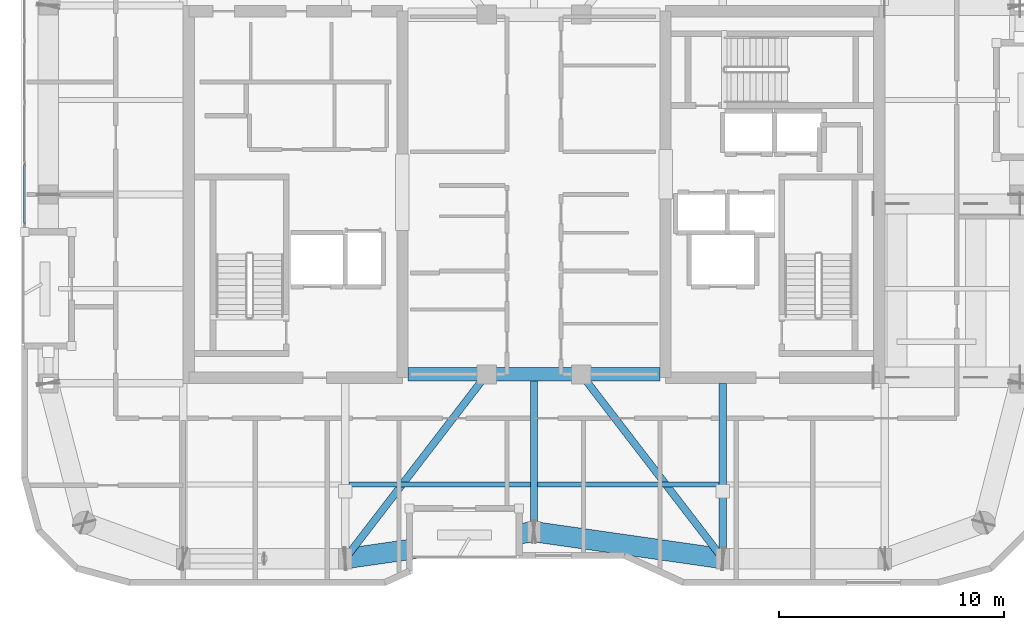
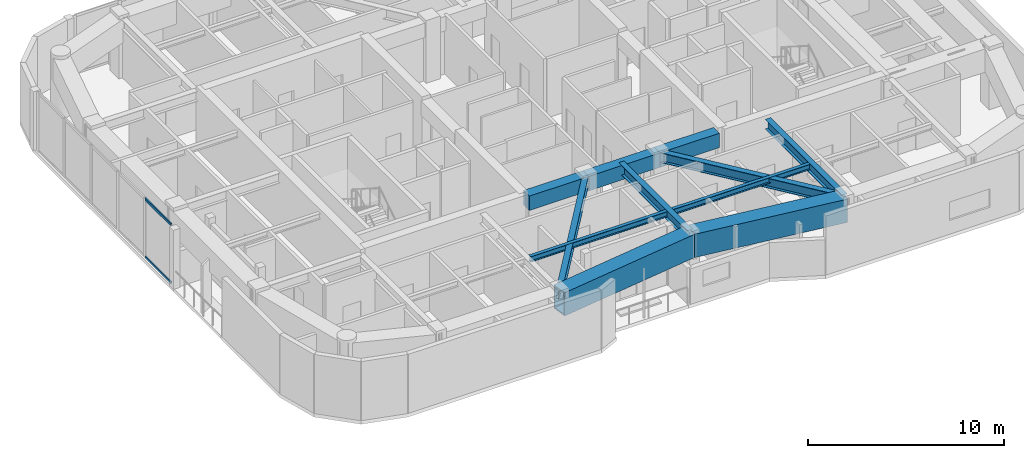
# One storey, part 3 of 16: 11 beams, 2 members, 1 element without a shape of its own.
"""IFC4 building model written with IfcOpenShell, lengths in metres."""

from ifc_helpers import new_model, si_unit, direction, frame, origin, origin_2d, place, context, subcontext, project, spatial, rectangle, hollow_rectangle, i_section, extrude, material, layer, layer_set, material_profile, profile_set, type_object, element, aggregate, save


model = new_model("IFC4")

# Units and contexts
model_context = context("Model", 3, precision=1e-05, world=origin(), true_north=direction((0.0, 1.0)))
body_context = subcontext(model_context, "Body", "Model", "MODEL_VIEW")
ifc_project = project(units=[si_unit("LENGTHUNIT", "METRE"), si_unit("AREAUNIT", "SQUARE_METRE"), si_unit("VOLUMEUNIT", "CUBIC_METRE"), si_unit("PLANEANGLEUNIT", "RADIAN"), si_unit("MASSUNIT", "GRAM", prefix="KILO")], contexts=[model_context])

# Site, building, storey
site_placement = place(None, origin())
site = spatial("IfcSite", under=ifc_project, at=site_placement, CompositionType="ELEMENT")
building_placement = place(site_placement, origin())
building = spatial("IfcBuilding", under=site, at=building_placement, Name="Kiyonajd Concourse Tower", CompositionType="ELEMENT")
storey_placement = place(building_placement, frame((0.0, 0.0, 346.5)))
storey = spatial("IfcBuildingStorey", under=building, at=storey_placement, Name="L87", CompositionType="ELEMENT", Elevation=346.5)

# Beams
ifc_material_1 = material(Name="Concrete C60/75", Category="concrete")
ifc_material_profile_1 = material_profile(ifc_material_1, rectangle(XDim=0.60009765625, YDim=0.89990234375, at=origin_2d()), Name="RCBM-600x900")
ifc_profile_set_1 = profile_set([ifc_material_profile_1], Name="Concrete C60/75")
beam_type_1 = type_object("IfcBeamType", Name="BM-COUP-900", PredefinedType="LINTEL", material=ifc_profile_set_1)
beam_1_placement = place(storey_placement, frame((42.39990234375, 28.0, 3.22998046875), z_axis=(1.0, 0.0, 0.0), x_axis=(0.0, 1.0, 0.0)))
element("IfcBeam", 1, at=beam_1_placement, inside=storey, type_object=beam_type_1, Name="L87 Core Coupling Beam S1", PredefinedType="LINTEL", context=body_context, shape_type="SweptSolid", body=[
    extrude(rectangle(XDim=0.60009765625, YDim=0.89990234375, at=origin_2d()), origin(), (0.0, 0.0, 1.0), 3.5),
])
beam_2_placement = place(storey_placement, frame((45.89990234375, 28.0, 3.22998046875), z_axis=(1.0, 0.0, 0.0), x_axis=(0.0, 1.0, 0.0)))
element("IfcBeam", 2, at=beam_2_placement, inside=storey, type_object=beam_type_1, Name="L87 Core Coupling Beam S2", PredefinedType="LINTEL", context=body_context, shape_type="SweptSolid", body=[
    extrude(rectangle(XDim=0.60009765625, YDim=0.89990234375, at=origin_2d()), origin(), (0.0, 0.0, 1.0), 4.2001953125),
])
beam_3_placement = place(storey_placement, frame((50.10009765625, 28.0, 3.22998046875), z_axis=(1.0, 0.0, 0.0), x_axis=(0.0, 1.0, 0.0)))
element("IfcBeam", 3, at=beam_3_placement, inside=storey, type_object=beam_type_1, Name="L87 Core Coupling Beam S3", PredefinedType="LINTEL", context=body_context, shape_type="SweptSolid", body=[
    extrude(rectangle(XDim=0.60009765625, YDim=0.89990234375, at=origin_2d()), origin(), (0.0, 0.0, 1.0), 3.5),
])
ifc_material_2 = material(Name="Steel ASTM A992 Grade 50", Category="steel")
ifc_material_profile_2 = material_profile(ifc_material_2, i_section(OverallWidth=0.205078125, OverallDepth=0.35400390625, WebThickness=0.009521484375, FlangeThickness=0.016845703125, at=origin_2d()), Name="W360X79")
ifc_profile_set_2 = profile_set([ifc_material_profile_2], Name="Steel ASTM A992 Grade 50")
beam_type_2 = type_object("IfcBeamType", Name="BM-JST-360", PredefinedType="JOIST", material=ifc_profile_set_2)
for number, where, z_axis, x_axis, name in (
    (4, (39.761962890625, 23.10009765625, 3.5029296875), (1.0, 0.0, 0.0), (0.0, 1.0, 0.0), "L87 Secondary Floor Joist"),
    (5, (48.162109375, 23.10009765625, 3.5029296875), (1.0, 0.0, 0.0), (0.0, 1.0, 0.0), "L87 Secondary Floor Joist"),
):
    element("IfcBeam", number, at=place(storey_placement, frame(where, z_axis=z_axis, x_axis=x_axis)), inside=storey, type_object=beam_type_2, Name=name, PredefinedType="JOIST", context=body_context, shape_type="SweptSolid", body=[
        extrude(i_section(OverallWidth=0.205078125, OverallDepth=0.35400390625, WebThickness=0.009521484375, FlangeThickness=0.016845703125, at=origin_2d()), origin(), (0.0, 0.0, 1.0), 8.075927734375),
    ])
ifc_material_profile_3 = material_profile(ifc_material_2, i_section(OverallWidth=0.326904296875, OverallDepth=0.6220703125, WebThickness=0.015380859375, FlangeThickness=0.0244140625, at=origin_2d()), Name="W610X195")
ifc_profile_set_3 = profile_set([ifc_material_profile_3], Name="Steel ASTM A992 Grade 50")
beam_type_3 = type_object("IfcBeamType", Name="BM-TWR-610A", PredefinedType="BEAM", material=ifc_profile_set_3)
for number, where, z_axis, x_axis, name in (
    (6, (39.60009765625, 19.800048828125, 3.368896484375), (0.609233709922, 0.792990722956, 0.0), (-0.792990722956, 0.609233709922, 0.0), "L87 Core Tie Girder"),
    (7, (50.10009765625, 28.0, 3.368896484375), (0.609233709922, -0.792990722956, 0.0), (0.792990722956, 0.609233709922, 0.0), "L87 Core Tie Girder"),
):
    element("IfcBeam", number, at=place(storey_placement, frame(where, z_axis=z_axis, x_axis=x_axis)), inside=storey, type_object=beam_type_3, Name=name, PredefinedType="BEAM", context=body_context, shape_type="SweptSolid", body=[
        extrude(i_section(OverallWidth=0.326904296875, OverallDepth=0.6220703125, WebThickness=0.015380859375, FlangeThickness=0.0244140625, at=origin_2d()), origin(), (0.0, 0.0, 1.0), 10.340576171875),
    ])
ifc_material_profile_4 = material_profile(ifc_material_2, i_section(OverallWidth=0.323974609375, OverallDepth=0.611083984375, WebThickness=0.0126953125, FlangeThickness=0.01904296875, at=origin_2d()), Name="W610X155")
ifc_profile_set_4 = profile_set([ifc_material_profile_4], Name="Steel ASTM A992 Grade 50")
beam_type_4 = type_object("IfcBeamType", Name="BM-TWR-610B", PredefinedType="BEAM", material=ifc_profile_set_4)
beam_4_placement = place(storey_placement, frame((56.39990234375, 19.800048828125, 3.37451171875), z_axis=(0.0, 1.0, 0.0), x_axis=(-1.0, 0.0, 0.0)))
element("IfcBeam", 8, at=beam_4_placement, inside=storey, type_object=beam_type_4, Name="L87 South Lease Girder", PredefinedType="BEAM", context=body_context, shape_type="SweptSolid", body=[
    extrude(i_section(OverallWidth=0.323974609375, OverallDepth=0.611083984375, WebThickness=0.0126953125, FlangeThickness=0.01904296875, at=origin_2d()), origin(), (0.0, 0.0, 1.0), 7.800048828125),
])
beam_5_placement = place(storey_placement, frame((48.0, 21.0, 3.37451171875), z_axis=(0.0, 1.0, 0.0), x_axis=(-1.0, 0.0, 0.0)))
element("IfcBeam", 9, at=beam_5_placement, inside=storey, type_object=beam_type_4, Name="L87 South Ribbon Girder", PredefinedType="BEAM", context=body_context, shape_type="SweptSolid", body=[
    extrude(i_section(OverallWidth=0.323974609375, OverallDepth=0.611083984375, WebThickness=0.0126953125, FlangeThickness=0.01904296875, at=origin_2d()), origin(), (0.0, 0.0, 1.0), 7.0),
])
ifc_material_3 = material(Name="Steel ASTM A572 Grade 50", Category="steel")
ifc_material_profile_5 = material_profile(ifc_material_3, hollow_rectangle(XDim=0.89990234375, YDim=1.449951171875, WallThickness=0.074951171875, at=origin_2d()), Name="BOX-1450x900x75")
ifc_profile_set_5 = profile_set([ifc_material_profile_5], Name="Steel ASTM A572 Grade 50")
beam_type_5 = type_object("IfcBeamType", Name="BM-XFER-1800", PredefinedType="BEAM", material=ifc_profile_set_5)
for number, where, z_axis, x_axis, name in (
    (10, (39.60009765625, 19.800048828125, 2.955078125), (0.989950069105, 0.141417328072, 0.0), (-0.141417328072, 0.989950069105, 0.0), "L87 Perimeter Bundled Tube Spandrel"),
    (11, (48.0, 21.0, 2.955078125), (0.989950069105, -0.141417328072, 0.0), (0.141417328072, 0.989950069105, 0.0), "L87 Perimeter Bundled Tube Spandrel"),
):
    element("IfcBeam", number, at=place(storey_placement, frame(where, z_axis=z_axis, x_axis=x_axis)), inside=storey, type_object=beam_type_5, Name=name, PredefinedType="BEAM", context=body_context, shape_type="SweptSolid", body=[
        extrude(hollow_rectangle(XDim=0.89990234375, YDim=1.449951171875, WallThickness=0.074951171875, at=origin_2d()), origin(), (0.0, 0.0, 1.0), 8.485107421875),
    ])

# Curtain wall, members
ifc_material_4 = material(Name="Thermally Broken Anodised Aluminium", Category="aluminium")
ifc_layer = layer(ifc_material_4, 0.179931640625)
ifc_layer_set = layer_set([ifc_layer], Name="Thermally Broken Anodised Aluminium")
curtain_wall_type = type_object("IfcCurtainWallType", Name="CW-SYS-06", PredefinedType="NOTDEFINED", material=ifc_layer_set)
curtain_wall_placement = place(storey_placement, origin())
curtain_wall = element("IfcCurtainWall", 12, at=curtain_wall_placement, inside=storey, type_object=curtain_wall_type, Name="L87 Unitised Curtain Wall CW6", PredefinedType="NOTDEFINED")
ifc_material_profile_6 = material_profile(ifc_material_4, hollow_rectangle(XDim=0.074951171875, YDim=0.159912109375, WallThickness=0.0048828125, at=origin_2d()), Name="TRAN-75x160")
ifc_profile_set_6 = profile_set([ifc_material_profile_6], Name="Thermally Broken Anodised Aluminium")
member_type = type_object("IfcMemberType", Name="MB-CW-TRAN2", PredefinedType="USERDEFINED", material=ifc_profile_set_6)
member_1_placement = place(storey_placement, frame((25.340087890625, 34.705078125, 0.03759765625), z_axis=(0.0, 1.0, 0.0), x_axis=(-1.0, 0.0, 0.0)))
member_1 = element("IfcMember", 13, at=member_1_placement, type_object=member_type, Name="CW6 transom 1.1", ObjectType="TRANSOM", PredefinedType="USERDEFINED", context=body_context, shape_type="SweptSolid", body=[
    extrude(hollow_rectangle(XDim=0.074951171875, YDim=0.159912109375, WallThickness=0.0048828125, at=origin_2d()), origin(), (0.0, 0.0, 1.0), 2.61962890625),
])
member_2_placement = place(storey_placement, frame((25.340087890625, 34.705078125, 3.642578125), z_axis=(0.0, 1.0, 0.0), x_axis=(-1.0, 0.0, 0.0)))
member_2 = element("IfcMember", 14, at=member_2_placement, type_object=member_type, Name="CW6 transom 1.2", ObjectType="TRANSOM", PredefinedType="USERDEFINED", context=body_context, shape_type="SweptSolid", body=[
    extrude(hollow_rectangle(XDim=0.074951171875, YDim=0.159912109375, WallThickness=0.0048828125, at=origin_2d()), origin(), (0.0, 0.0, 1.0), 2.61962890625),
])
aggregate(curtain_wall, [member_1, member_2])

save(model, "model.ifc")
